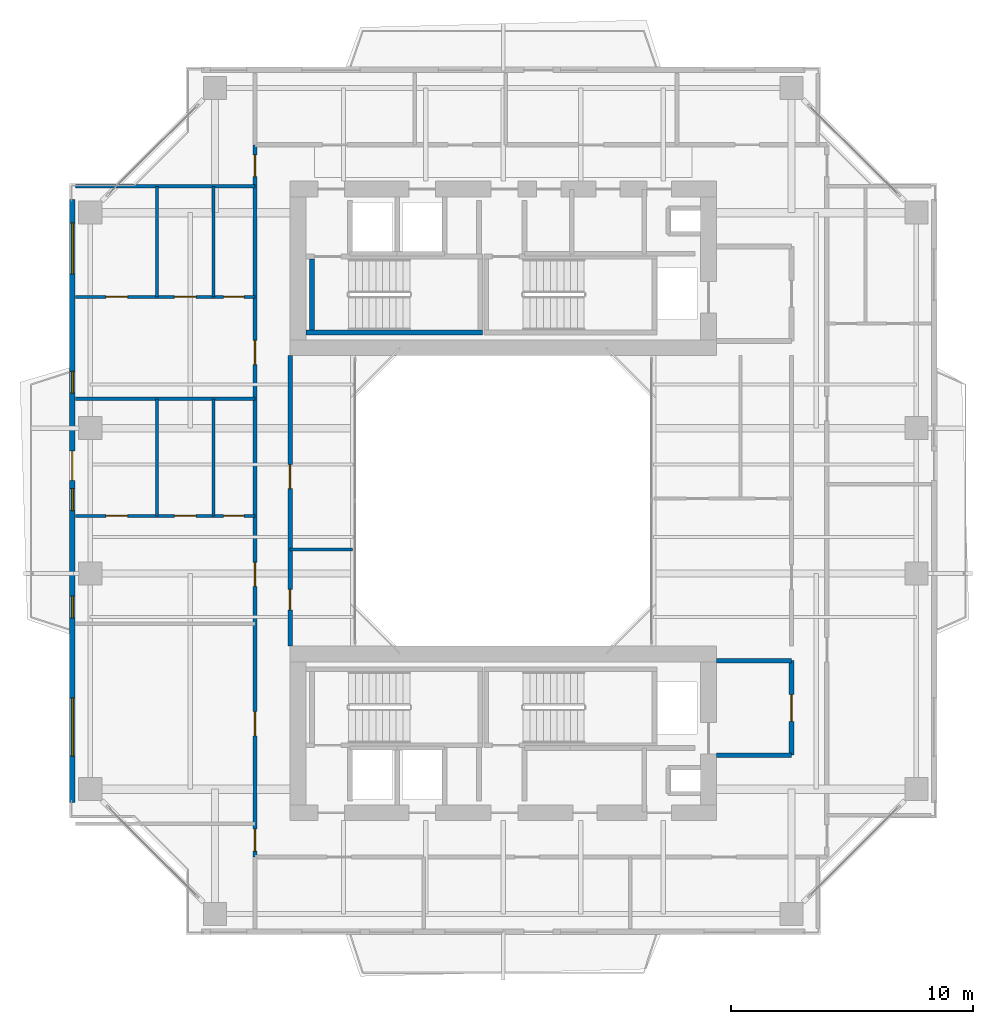
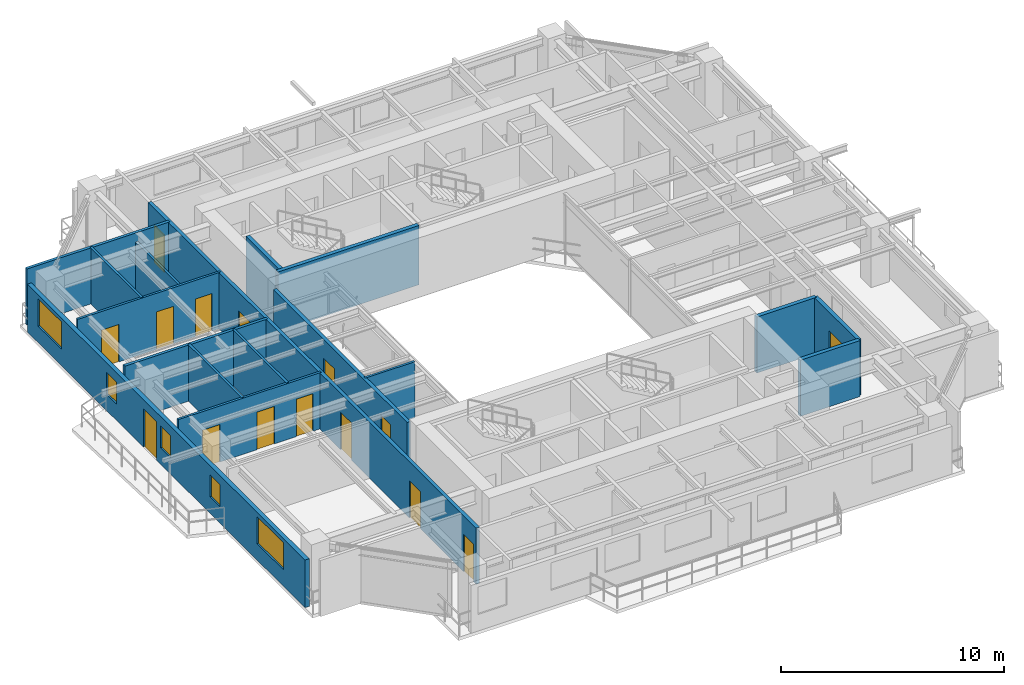
# One storey, part 12 of 18: 17 walls, 15 doors, 5 windows, 20 openings.
"""IFC4 building model written with IfcOpenShell, lengths in metres."""

from ifc_helpers import new_model, si_unit, direction, frame, frame_2d, origin, place, context, subcontext, project, spatial, rectangle, extrude, source, transform, mapped, material, layer, layer_set, type_object, element, fill, save


model = new_model("IFC4")

# Units and contexts
model_context = context("Model", 3, precision=1e-05, world=origin(), true_north=direction((0.0, 1.0)))
body_context = subcontext(model_context, "Body", "Model", "MODEL_VIEW")
ifc_project = project(units=[si_unit("LENGTHUNIT", "METRE"), si_unit("AREAUNIT", "SQUARE_METRE"), si_unit("VOLUMEUNIT", "CUBIC_METRE"), si_unit("PLANEANGLEUNIT", "RADIAN"), si_unit("MASSUNIT", "GRAM", prefix="KILO"), si_unit("THERMODYNAMICTEMPERATUREUNIT", "KELVIN"), si_unit("POWERUNIT", "WATT")], contexts=[model_context])

# Site, building, storey
site_placement = place(None, origin())
site = spatial("IfcSite", under=ifc_project, at=site_placement, CompositionType="ELEMENT")
building_placement = place(site_placement, origin())
building = spatial("IfcBuilding", under=site, at=building_placement, Name="Qiaomeng Ring Towers", CompositionType="ELEMENT")
storey_placement = place(building_placement, frame((0.0, 0.0, 147.0)))
storey = spatial("IfcBuildingStorey", under=building, at=storey_placement, Name="L42", CompositionType="ELEMENT", Elevation=147.0)

# Wall, openings, windows, door
ifc_material_1 = material(Name="Precast concrete C40", Category="concrete")
ifc_layer_1 = layer(ifc_material_1, 0.219970703125, Name="Precast concrete C40")
ifc_layer_set_1 = layer_set([ifc_layer_1], Name="Precast concrete C40")
wall_type_1 = type_object("IfcWallType", Name="ARC-WL-EW2", PredefinedType="STANDARD", material=ifc_layer_set_1)
wall_1_placement = place(storey_placement, frame((1.2099609375, 10.550048828125, 0.0), z_axis=(0.0, 0.0, 1.0), x_axis=(0.0, 1.0, 0.0)))
wall_1 = element("IfcWall", 1, at=wall_1_placement, inside=storey, type_object=wall_type_1, Name="L42 Tower 1 W Exterior Wall", PredefinedType="STANDARD", context=body_context, shape_type="SweptSolid", body=[
    extrude(rectangle(XDim=24.89990234375, YDim=0.219970703125, at=frame_2d((12.449951171875, 0.0))), origin(), (0.0, 0.0, 1.0), 2.610107421875),
])
opening_1_placement = place(wall_1_placement, frame((13.300048828125, 0.0, 0.0)))
opening_1 = element("IfcOpeningElement", 2, at=opening_1_placement, cuts=wall_1, Name="Opening BD1", PredefinedType="OPENING", context=body_context, shape_type="SweptSolid", body=[
    extrude(rectangle(XDim=1.199951171875, YDim=2.10009765625, at=frame_2d((0.60009765625, 1.050048828125))), frame((0.0, 0.119873046875, 0.0), z_axis=(0.0, -1.0, 0.0), x_axis=(1.0, 0.0, 0.0)), (0.0, 0.0, 1.0), 0.239990234375),
])
opening_2_placement = place(wall_1_placement, frame((1.912109375, 0.0, 0.89990234375)))
opening_2 = element("IfcOpeningElement", 3, at=opening_2_placement, cuts=wall_1, Name="Opening WN6", PredefinedType="OPENING", context=body_context, shape_type="SweptSolid", body=[
    extrude(rectangle(XDim=2.39990234375, YDim=1.47998046875, at=frame_2d((1.199951171875, 0.739990234375))), frame((0.0, 0.119873046875, 0.0), z_axis=(0.0, -1.0, 0.0), x_axis=(1.0, 0.0, 0.0)), (0.0, 0.0, 1.0), 0.239990234375),
])
opening_3_placement = place(wall_1_placement, frame((21.820068359375, 0.0, 0.89990234375)))
opening_3 = element("IfcOpeningElement", 4, at=opening_3_placement, cuts=wall_1, Name="Opening WN4", PredefinedType="OPENING", context=body_context, shape_type="SweptSolid", body=[
    extrude(rectangle(XDim=2.10009765625, YDim=1.5, at=frame_2d((1.050048828125, 0.75))), frame((0.0, 0.119873046875, 0.0), z_axis=(0.0, -1.0, 0.0), x_axis=(1.0, 0.0, 0.0)), (0.0, 0.0, 1.0), 0.239990234375),
])
opening_4_placement = place(wall_1_placement, frame((12.050048828125, 0.0, 0.89990234375)))
opening_4 = element("IfcOpeningElement", 5, at=opening_4_placement, cuts=wall_1, Name="Opening WN5", PredefinedType="OPENING", context=body_context, shape_type="SweptSolid", body=[
    extrude(rectangle(XDim=0.89990234375, YDim=1.199951171875, at=frame_2d((0.449951171875, 0.60009765625))), frame((0.0, 0.119873046875, 0.0), z_axis=(0.0, -1.0, 0.0), x_axis=(1.0, 0.0, 0.0)), (0.0, 0.0, 1.0), 0.239990234375),
])
opening_5_placement = place(wall_1_placement, frame((7.614990234375, 0.0, 0.89990234375)))
opening_5 = element("IfcOpeningElement", 6, at=opening_5_placement, cuts=wall_1, Name="Opening WN5", PredefinedType="OPENING", context=body_context, shape_type="SweptSolid", body=[
    extrude(rectangle(XDim=0.89990234375, YDim=1.199951171875, at=frame_2d((0.449951171875, 0.60009765625))), frame((0.0, 0.119873046875, 0.0), z_axis=(0.0, -1.0, 0.0), x_axis=(1.0, 0.0, 0.0)), (0.0, 0.0, 1.0), 0.239990234375),
])
opening_6_placement = place(wall_1_placement, frame((16.89501953125, 0.0, 0.89990234375)))
opening_6 = element("IfcOpeningElement", 7, at=opening_6_placement, cuts=wall_1, Name="Opening WN5", PredefinedType="OPENING", context=body_context, shape_type="SweptSolid", body=[
    extrude(rectangle(XDim=0.89990234375, YDim=1.199951171875, at=frame_2d((0.449951171875, 0.60009765625))), frame((0.0, 0.119873046875, 0.0), z_axis=(0.0, -1.0, 0.0), x_axis=(1.0, 0.0, 0.0)), (0.0, 0.0, 1.0), 0.239990234375),
])
ifc_material_2 = material(Name="Low-E dark-grey laminated double glazing", Category="glass")
window_type_1 = type_object("IfcWindowType", Name="ARC-WN-4", PartitioningType="TRIPLE_PANEL_VERTICAL", PredefinedType="WINDOW", material=ifc_material_2)
shared_shape_1 = source(origin(), body_context, "Body", "SweptSolid", [
    extrude(rectangle(XDim=2.10009765625, YDim=1.5, at=frame_2d((1.050048828125, 0.75))), frame((0.0, 0.030029296875, 0.0), z_axis=(0.0, -1.0, 0.0), x_axis=(1.0, 0.0, 0.0)), (0.0, 0.0, 1.0), 0.06005859375),
])
window_1_placement = place(opening_3_placement, origin())
window_1 = element("IfcWindow", 8, at=window_1_placement, inside=storey, type_object=window_type_1, Name="L42 Exterior Window WN4", OverallHeight=1.5, OverallWidth=2.10009765625, PartitioningType="TRIPLE_PANEL_VERTICAL", PredefinedType="WINDOW", context=body_context, shape_type="MappedRepresentation", body=[
    mapped(shared_shape_1, transform((0.0, 0.0, 0.0), x_axis=(1.0, 0.0, 0.0), y_axis=(0.0, 1.0, 0.0), z_axis=(0.0, 0.0, 1.0), scale=1.0)),
])
fill(opening_3, window_1)
window_type_2 = type_object("IfcWindowType", Name="ARC-WN-6", PartitioningType="TRIPLE_PANEL_VERTICAL", PredefinedType="WINDOW", material=ifc_material_2)
shared_shape_2 = source(origin(), body_context, "Body", "SweptSolid", [
    extrude(rectangle(XDim=2.39990234375, YDim=1.47998046875, at=frame_2d((1.199951171875, 0.739990234375))), frame((0.0, 0.030029296875, 0.0), z_axis=(0.0, -1.0, 0.0), x_axis=(1.0, 0.0, 0.0)), (0.0, 0.0, 1.0), 0.06005859375),
])
window_2_placement = place(opening_2_placement, origin())
window_2 = element("IfcWindow", 9, at=window_2_placement, inside=storey, type_object=window_type_2, Name="L42 Exterior Window WN6", OverallHeight=1.47998046875, OverallWidth=2.39990234375, PartitioningType="TRIPLE_PANEL_VERTICAL", PredefinedType="WINDOW", context=body_context, shape_type="MappedRepresentation", body=[
    mapped(shared_shape_2, transform((0.0, 0.0, 0.0), x_axis=(1.0, 0.0, 0.0), y_axis=(0.0, 1.0, 0.0), z_axis=(0.0, 0.0, 1.0), scale=1.0)),
])
fill(opening_2, window_2)
door_type_1 = type_object("IfcDoorType", Name="ARC-DR-BD1", OperationType="NOTDEFINED", PredefinedType="DOOR", material=ifc_material_2)
shared_shape_3 = source(origin(), body_context, "Body", "SweptSolid", [
    extrude(rectangle(XDim=1.199951171875, YDim=2.10009765625, at=frame_2d((0.60009765625, 1.050048828125))), frame((0.0, 0.02490234375, 0.0), z_axis=(0.0, -1.0, 0.0), x_axis=(1.0, 0.0, 0.0)), (0.0, 0.0, 1.0), 0.050048828125),
])
door_1_placement = place(opening_1_placement, frame((1.199951171875, 0.0, 0.0), z_axis=(0.0, 0.0, 1.0), x_axis=(-1.0, 0.0, 0.0)))
door_1 = element("IfcDoor", 10, at=door_1_placement, inside=storey, type_object=door_type_1, Name="L42 W Balcony Glazed Door", OperationType="SINGLE_SWING_LEFT", OverallHeight=2.10009765625, OverallWidth=1.199951171875, PredefinedType="DOOR", context=body_context, shape_type="MappedRepresentation", body=[
    mapped(shared_shape_3, transform((0.0, 0.0, 0.0), x_axis=(1.0, 0.0, 0.0), y_axis=(0.0, 1.0, 0.0), z_axis=(0.0, 0.0, 1.0), scale=1.0)),
])
fill(opening_1, door_1)
window_type_3 = type_object("IfcWindowType", Name="ARC-WN-5", PartitioningType="SINGLE_PANEL", PredefinedType="WINDOW", material=ifc_material_2)
shared_shape_4 = source(origin(), body_context, "Body", "SweptSolid", [
    extrude(rectangle(XDim=0.89990234375, YDim=1.199951171875, at=frame_2d((0.449951171875, 0.60009765625))), frame((0.0, 0.030029296875, 0.0), z_axis=(0.0, -1.0, 0.0), x_axis=(1.0, 0.0, 0.0)), (0.0, 0.0, 1.0), 0.06005859375),
])
window_3_placement = place(opening_4_placement, origin())
window_3 = element("IfcWindow", 11, at=window_3_placement, inside=storey, type_object=window_type_3, Name="L42 Exterior Window WN5", OverallHeight=1.199951171875, OverallWidth=0.89990234375, PartitioningType="SINGLE_PANEL", PredefinedType="WINDOW", context=body_context, shape_type="MappedRepresentation", body=[
    mapped(shared_shape_4, transform((0.0, 0.0, 0.0), x_axis=(1.0, 0.0, 0.0), y_axis=(0.0, 1.0, 0.0), z_axis=(0.0, 0.0, 1.0), scale=1.0)),
])
fill(opening_4, window_3)
window_4_placement = place(opening_5_placement, origin())
window_4 = element("IfcWindow", 12, at=window_4_placement, inside=storey, type_object=window_type_3, Name="L42 Exterior Window WN5", OverallHeight=1.199951171875, OverallWidth=0.89990234375, PartitioningType="SINGLE_PANEL", PredefinedType="WINDOW", context=body_context, shape_type="MappedRepresentation", body=[
    mapped(shared_shape_4, transform((0.0, 0.0, 0.0), x_axis=(1.0, 0.0, 0.0), y_axis=(0.0, 1.0, 0.0), z_axis=(0.0, 0.0, 1.0), scale=1.0)),
])
fill(opening_5, window_4)
window_5_placement = place(opening_6_placement, origin())
window_5 = element("IfcWindow", 13, at=window_5_placement, inside=storey, type_object=window_type_3, Name="L42 Exterior Window WN5", OverallHeight=1.199951171875, OverallWidth=0.89990234375, PartitioningType="SINGLE_PANEL", PredefinedType="WINDOW", context=body_context, shape_type="MappedRepresentation", body=[
    mapped(shared_shape_4, transform((0.0, 0.0, 0.0), x_axis=(1.0, 0.0, 0.0), y_axis=(0.0, 1.0, 0.0), z_axis=(0.0, 0.0, 1.0), scale=1.0)),
])
fill(opening_6, window_5)

# Walls
ifc_material_3 = material(Name="Autoclaved aerated concrete block", Category="concrete")
ifc_layer_2 = layer(ifc_material_3, 0.199951171875, Name="Autoclaved aerated concrete block")
ifc_layer_set_2 = layer_set([ifc_layer_2], Name="Autoclaved aerated concrete block")
wall_type_2 = type_object("IfcWallType", Name="ARC-WL-PW1", PredefinedType="PARTITIONING", material=ifc_layer_set_2)
for number, where, z_axis, x_axis, name in (
    (14, (27.800048828125, 16.39990234375, 0.0), (0.0, 0.0, 1.0), (1.0, 0.0, 0.0), "L42 Interior Wall PW1"),
    (15, (27.800048828125, 12.5, 0.0), (0.0, 0.0, 1.0), (1.0, 0.0, 0.0), "L42 Interior Wall PW1"),
):
    element("IfcWall", number, at=place(storey_placement, frame(where, z_axis=z_axis, x_axis=x_axis)), inside=storey, type_object=wall_type_2, Name=name, PredefinedType="PARTITIONING", context=body_context, shape_type="SweptSolid", body=[
        extrude(rectangle(XDim=3.099853515625, YDim=0.199951171875, at=frame_2d((1.5498046875, 0.0))), origin(), (0.0, 0.0, 1.0), 3.070068359375),
    ])

# Wall, opening, door
wall_2_placement = place(storey_placement, frame((30.89990234375, 12.5, 0.0), z_axis=(0.0, 0.0, 1.0), x_axis=(0.0, 1.0, 0.0)))
wall_2 = element("IfcWall", 16, at=wall_2_placement, inside=storey, type_object=wall_type_2, Name="L42 Interior Wall PW1", PredefinedType="PARTITIONING", context=body_context, shape_type="SweptSolid", body=[
    extrude(rectangle(XDim=3.89990234375, YDim=0.199951171875, at=frame_2d((1.949951171875, 0.0))), origin(), (0.0, 0.0, 1.0), 3.070068359375),
])
opening_7_placement = place(wall_2_placement, frame((1.39990234375, 0.0, 0.0)))
opening_7 = element("IfcOpeningElement", 17, at=opening_7_placement, cuts=wall_2, Name="Opening FD3", PredefinedType="OPENING", context=body_context, shape_type="SweptSolid", body=[
    extrude(rectangle(XDim=1.10009765625, YDim=2.050048828125, at=frame_2d((0.550048828125, 1.02490234375))), frame((0.0, 0.10986328125, 0.0), z_axis=(0.0, -1.0, 0.0), x_axis=(1.0, 0.0, 0.0)), (0.0, 0.0, 1.0), 0.219970703125),
])
ifc_material_4 = material(Name="Galvanised steel", Category="steel")
door_type_2 = type_object("IfcDoorType", Name="ARC-DR-FD3", OperationType="NOTDEFINED", PredefinedType="DOOR", material=ifc_material_4)
shared_shape_5 = source(origin(), body_context, "Body", "SweptSolid", [
    extrude(rectangle(XDim=1.10009765625, YDim=2.050048828125, at=frame_2d((0.550048828125, 1.02490234375))), frame((0.0, 0.02490234375, 0.0), z_axis=(0.0, -1.0, 0.0), x_axis=(1.0, 0.0, 0.0)), (0.0, 0.0, 1.0), 0.050048828125),
])
door_2_placement = place(opening_7_placement, origin())
door_2 = element("IfcDoor", 18, at=door_2_placement, inside=storey, type_object=door_type_2, Name="L42 South FF Lobby Door", OperationType="SINGLE_SWING_LEFT", OverallHeight=2.050048828125, OverallWidth=1.10009765625, PredefinedType="DOOR", context=body_context, shape_type="MappedRepresentation", body=[
    mapped(shared_shape_5, transform((0.0, 0.0, 0.0), x_axis=(1.0, 0.0, 0.0), y_axis=(0.0, 1.0, 0.0), z_axis=(0.0, 0.0, 1.0), scale=1.0)),
])
fill(opening_7, door_2)

# Wall, openings, doors
ifc_layer_3 = layer(ifc_material_3, 0.179931640625, Name="Autoclaved aerated concrete block")
ifc_layer_set_3 = layer_set([ifc_layer_3], Name="Autoclaved aerated concrete block")
wall_type_3 = type_object("IfcWallType", Name="ARC-WL-PW2", PredefinedType="PARTITIONING", material=ifc_layer_set_3)
wall_3_placement = place(storey_placement, frame((8.75, 8.300048828125, 0.0), z_axis=(0.0, 0.0, 1.0), x_axis=(0.0, 1.0, 0.0)))
wall_3 = element("IfcWall", 19, at=wall_3_placement, inside=storey, type_object=wall_type_3, Name="L42 Interior Wall PW2", PredefinedType="PARTITIONING", context=body_context, shape_type="SweptSolid", body=[
    extrude(rectangle(XDim=29.39990234375, YDim=0.179931640625, at=frame_2d((14.699951171875, 0.0))), origin(), (0.0, 0.0, 1.0), 3.070068359375),
])
opening_8_placement = place(wall_3_placement, frame((28.080078125, 0.0, 0.0)))
opening_8 = element("IfcOpeningElement", 20, at=opening_8_placement, cuts=wall_3, Name="Opening ID1", PredefinedType="OPENING", context=body_context, shape_type="SweptSolid", body=[
    extrude(rectangle(XDim=0.89990234375, YDim=2.050048828125, at=frame_2d((0.449951171875, 1.02490234375))), frame((0.0, 0.099853515625, 0.0), z_axis=(0.0, -1.0, 0.0), x_axis=(1.0, 0.0, 0.0)), (0.0, 0.0, 1.0), 0.199951171875),
])
opening_9_placement = place(wall_3_placement, frame((0.2451171875, 0.0, 0.0)))
opening_9 = element("IfcOpeningElement", 21, at=opening_9_placement, cuts=wall_3, Name="Opening ID1", PredefinedType="OPENING", context=body_context, shape_type="SweptSolid", body=[
    extrude(rectangle(XDim=0.89990234375, YDim=2.050048828125, at=frame_2d((0.449951171875, 1.02490234375))), frame((0.0, 0.099853515625, 0.0), z_axis=(0.0, -1.0, 0.0), x_axis=(1.0, 0.0, 0.0)), (0.0, 0.0, 1.0), 0.199951171875),
])
opening_10_placement = place(wall_3_placement, frame((5.0, 0.0, 0.0)))
opening_10 = element("IfcOpeningElement", 22, at=opening_10_placement, cuts=wall_3, Name="Opening FD4", PredefinedType="OPENING", context=body_context, shape_type="SweptSolid", body=[
    extrude(rectangle(XDim=1.0, YDim=2.050048828125, at=frame_2d((0.5, 1.02490234375))), frame((0.0, 0.099853515625, 0.0), z_axis=(0.0, -1.0, 0.0), x_axis=(1.0, 0.0, 0.0)), (0.0, 0.0, 1.0), 0.199951171875),
])
opening_11_placement = place(wall_3_placement, frame((11.1650390625, 0.0, 0.0)))
opening_11 = element("IfcOpeningElement", 23, at=opening_11_placement, cuts=wall_3, Name="Opening FD4", PredefinedType="OPENING", context=body_context, shape_type="SweptSolid", body=[
    extrude(rectangle(XDim=1.0, YDim=2.050048828125, at=frame_2d((0.5, 1.02490234375))), frame((0.0, 0.099853515625, 0.0), z_axis=(0.0, -1.0, 0.0), x_axis=(1.0, 0.0, 0.0)), (0.0, 0.0, 1.0), 0.199951171875),
])
opening_12_placement = place(wall_3_placement, frame((20.324951171875, 0.0, 0.0)))
opening_12 = element("IfcOpeningElement", 24, at=opening_12_placement, cuts=wall_3, Name="Opening FD4", PredefinedType="OPENING", context=body_context, shape_type="SweptSolid", body=[
    extrude(rectangle(XDim=1.0, YDim=2.050048828125, at=frame_2d((0.5, 1.02490234375))), frame((0.0, 0.099853515625, 0.0), z_axis=(0.0, -1.0, 0.0), x_axis=(1.0, 0.0, 0.0)), (0.0, 0.0, 1.0), 0.199951171875),
])
ifc_material_5 = material(Name="Engineered fire-rated oak timber", Category="wood")
door_type_3 = type_object("IfcDoorType", Name="ARC-DR-FD4", OperationType="NOTDEFINED", PredefinedType="DOOR", material=ifc_material_5)
shared_shape_6 = source(origin(), body_context, "Body", "SweptSolid", [
    extrude(rectangle(XDim=1.0, YDim=2.050048828125, at=frame_2d((0.5, 1.02490234375))), frame((0.0, 0.02490234375, 0.0), z_axis=(0.0, -1.0, 0.0), x_axis=(1.0, 0.0, 0.0)), (0.0, 0.0, 1.0), 0.050048828125),
])
door_3_placement = place(opening_10_placement, origin())
door_3 = element("IfcDoor", 25, at=door_3_placement, inside=storey, type_object=door_type_3, Name="L42 Door FD4", OperationType="SINGLE_SWING_RIGHT", OverallHeight=2.050048828125, OverallWidth=1.0, PredefinedType="DOOR", context=body_context, shape_type="MappedRepresentation", body=[
    mapped(shared_shape_6, transform((0.0, 0.0, 0.0), x_axis=(1.0, 0.0, 0.0), y_axis=(0.0, 1.0, 0.0), z_axis=(0.0, 0.0, 1.0), scale=1.0)),
])
fill(opening_10, door_3)
door_4_placement = place(opening_11_placement, origin())
door_4 = element("IfcDoor", 26, at=door_4_placement, inside=storey, type_object=door_type_3, Name="L42 Door FD4", OperationType="SINGLE_SWING_RIGHT", OverallHeight=2.050048828125, OverallWidth=1.0, PredefinedType="DOOR", context=body_context, shape_type="MappedRepresentation", body=[
    mapped(shared_shape_6, transform((0.0, 0.0, 0.0), x_axis=(1.0, 0.0, 0.0), y_axis=(0.0, 1.0, 0.0), z_axis=(0.0, 0.0, 1.0), scale=1.0)),
])
fill(opening_11, door_4)
door_5_placement = place(opening_12_placement, origin())
door_5 = element("IfcDoor", 27, at=door_5_placement, inside=storey, type_object=door_type_3, Name="L42 Door FD4", OperationType="SINGLE_SWING_RIGHT", OverallHeight=2.050048828125, OverallWidth=1.0, PredefinedType="DOOR", context=body_context, shape_type="MappedRepresentation", body=[
    mapped(shared_shape_6, transform((0.0, 0.0, 0.0), x_axis=(1.0, 0.0, 0.0), y_axis=(0.0, 1.0, 0.0), z_axis=(0.0, 0.0, 1.0), scale=1.0)),
])
fill(opening_12, door_5)
ifc_material_6 = material(Name="Engineered oak timber", Category="wood")
door_type_4 = type_object("IfcDoorType", Name="ARC-DR-ID1", OperationType="NOTDEFINED", PredefinedType="DOOR", material=ifc_material_6)
shared_shape_7 = source(origin(), body_context, "Body", "SweptSolid", [
    extrude(rectangle(XDim=0.89990234375, YDim=2.050048828125, at=frame_2d((0.449951171875, 1.02490234375))), frame((0.0, 0.02490234375, 0.0), z_axis=(0.0, -1.0, 0.0), x_axis=(1.0, 0.0, 0.0)), (0.0, 0.0, 1.0), 0.050048828125),
])
door_6_placement = place(opening_8_placement, origin())
door_6 = element("IfcDoor", 28, at=door_6_placement, inside=storey, type_object=door_type_4, Name="L42 Door ID1", OperationType="SINGLE_SWING_RIGHT", OverallHeight=2.050048828125, OverallWidth=0.89990234375, PredefinedType="DOOR", context=body_context, shape_type="MappedRepresentation", body=[
    mapped(shared_shape_7, transform((0.0, 0.0, 0.0), x_axis=(1.0, 0.0, 0.0), y_axis=(0.0, 1.0, 0.0), z_axis=(0.0, 0.0, 1.0), scale=1.0)),
])
fill(opening_8, door_6)
door_7_placement = place(opening_9_placement, origin())
door_7 = element("IfcDoor", 29, at=door_7_placement, inside=storey, type_object=door_type_4, Name="L42 Door ID1", OperationType="SINGLE_SWING_LEFT", OverallHeight=2.050048828125, OverallWidth=0.89990234375, PredefinedType="DOOR", context=body_context, shape_type="MappedRepresentation", body=[
    mapped(shared_shape_7, transform((0.0, 0.0, 0.0), x_axis=(1.0, 0.0, 0.0), y_axis=(0.0, 1.0, 0.0), z_axis=(0.0, 0.0, 1.0), scale=1.0)),
])
fill(opening_9, door_7)

wall_4_placement = place(storey_placement, frame((10.199951171875, 17.0, 0.0), z_axis=(0.0, 0.0, 1.0), x_axis=(0.0, 1.0, 0.0)))
wall_4 = element("IfcWall", 30, at=wall_4_placement, inside=storey, type_object=wall_type_3, Name="L42 Interior Wall PW2", PredefinedType="PARTITIONING", context=body_context, shape_type="SweptSolid", body=[
    extrude(rectangle(XDim=12.0, YDim=0.179931640625, at=frame_2d((6.0, 0.0))), origin(), (0.0, 0.0, 1.0), 3.070068359375),
])
opening_13_placement = place(wall_4_placement, frame((1.5, 0.0, 0.0)))
opening_13 = element("IfcOpeningElement", 31, at=opening_13_placement, cuts=wall_4, Name="Opening ID2", PredefinedType="OPENING", context=body_context, shape_type="SweptSolid", body=[
    extrude(rectangle(XDim=0.85009765625, YDim=2.050048828125, at=frame_2d((0.425048828125, 1.02490234375))), frame((0.0, 0.099853515625, 0.0), z_axis=(0.0, -1.0, 0.0), x_axis=(1.0, 0.0, 0.0)), (0.0, 0.0, 1.0), 0.199951171875),
])
opening_14_placement = place(wall_4_placement, frame((6.5, 0.0, 0.0)))
opening_14 = element("IfcOpeningElement", 32, at=opening_14_placement, cuts=wall_4, Name="Opening FD4", PredefinedType="OPENING", context=body_context, shape_type="SweptSolid", body=[
    extrude(rectangle(XDim=1.0, YDim=2.050048828125, at=frame_2d((0.5, 1.02490234375))), frame((0.0, 0.099853515625, 0.0), z_axis=(0.0, -1.0, 0.0), x_axis=(1.0, 0.0, 0.0)), (0.0, 0.0, 1.0), 0.199951171875),
])
door_8_placement = place(opening_14_placement, origin())
door_8 = element("IfcDoor", 33, at=door_8_placement, inside=storey, type_object=door_type_3, Name="L42 Door FD4", OperationType="SINGLE_SWING_RIGHT", OverallHeight=2.050048828125, OverallWidth=1.0, PredefinedType="DOOR", context=body_context, shape_type="MappedRepresentation", body=[
    mapped(shared_shape_6, transform((0.0, 0.0, 0.0), x_axis=(1.0, 0.0, 0.0), y_axis=(0.0, 1.0, 0.0), z_axis=(0.0, 0.0, 1.0), scale=1.0)),
])
fill(opening_14, door_8)
ifc_material_7 = material(Name="Moisture-resistant engineered timber", Category="wood")
door_type_5 = type_object("IfcDoorType", Name="ARC-DR-ID2", OperationType="NOTDEFINED", PredefinedType="DOOR", material=ifc_material_7)
shared_shape_8 = source(origin(), body_context, "Body", "SweptSolid", [
    extrude(rectangle(XDim=0.85009765625, YDim=2.050048828125, at=frame_2d((0.425048828125, 1.02490234375))), frame((0.0, 0.02490234375, 0.0), z_axis=(0.0, -1.0, 0.0), x_axis=(1.0, 0.0, 0.0)), (0.0, 0.0, 1.0), 0.050048828125),
])
door_9_placement = place(opening_13_placement, origin())
door_9 = element("IfcDoor", 34, at=door_9_placement, inside=storey, type_object=door_type_5, Name="L42 Door ID2", OperationType="SINGLE_SWING_LEFT", OverallHeight=2.050048828125, OverallWidth=0.85009765625, PredefinedType="DOOR", context=body_context, shape_type="MappedRepresentation", body=[
    mapped(shared_shape_8, transform((0.0, 0.0, 0.0), x_axis=(1.0, 0.0, 0.0), y_axis=(0.0, 1.0, 0.0), z_axis=(0.0, 0.0, 1.0), scale=1.0)),
])
fill(opening_13, door_9)

# Walls
ifc_material_8 = material(Name="Gypsum fireboard steel-stud partition", Category="steel")
ifc_layer_4 = layer(ifc_material_8, 0.14990234375, Name="Gypsum fireboard steel-stud partition")
ifc_layer_set_4 = layer_set([ifc_layer_4], Name="Gypsum fireboard steel-stud partition")
wall_type_4 = type_object("IfcWallType", Name="ARC-WL-PW3", PredefinedType="PARTITIONING", material=ifc_layer_set_4)
for number, where, z_axis, x_axis, name in (
    (35, (1.35009765625, 35.97998046875, 0.0), (0.0, 0.0, 1.0), (1.0, 0.0, 0.0), "L42 Interior Wall PW3"),
    (36, (1.35009765625, 27.2099609375, 0.0), (0.0, 0.0, 1.0), (1.0, 0.0, 0.0), "L42 Interior Wall PW3"),
):
    element("IfcWall", number, at=place(storey_placement, frame(where, z_axis=z_axis, x_axis=x_axis)), inside=storey, type_object=wall_type_4, Name=name, PredefinedType="PARTITIONING", context=body_context, shape_type="SweptSolid", body=[
        extrude(rectangle(XDim=7.39990234375, YDim=0.14990234375, at=frame_2d((3.699951171875, 0.0))), origin(), (0.0, 0.0, 1.0), 3.070068359375),
    ])

# Wall, openings, doors
ifc_material_9 = material(Name="Moisture-resistant gypsum steel-stud partition", Category="steel")
ifc_layer_5 = layer(ifc_material_9, 0.1201171875, Name="Moisture-resistant gypsum steel-stud partition")
ifc_layer_set_5 = layer_set([ifc_layer_5], Name="Moisture-resistant gypsum steel-stud partition")
wall_type_5 = type_object("IfcWallType", Name="ARC-WL-PW4", PredefinedType="PLUMBINGWALL", material=ifc_layer_set_5)
wall_5_placement = place(storey_placement, frame((1.35009765625, 22.3798828125, 0.0), z_axis=(0.0, 0.0, 1.0), x_axis=(1.0, 0.0, 0.0)))
wall_5 = element("IfcWall", 37, at=wall_5_placement, inside=storey, type_object=wall_type_5, Name="L42 Interior Wall PW4", PredefinedType="PLUMBINGWALL", context=body_context, shape_type="SweptSolid", body=[
    extrude(rectangle(XDim=7.39990234375, YDim=0.1201171875, at=frame_2d((3.699951171875, 0.0))), origin(), (0.0, 0.0, 1.0), 3.070068359375),
])
opening_15_placement = place(wall_5_placement, frame((1.239990234375, 0.0, 0.0)))
opening_15 = element("IfcOpeningElement", 38, at=opening_15_placement, cuts=wall_5, Name="Opening ID1", PredefinedType="OPENING", context=body_context, shape_type="SweptSolid", body=[
    extrude(rectangle(XDim=0.89990234375, YDim=2.050048828125, at=frame_2d((0.449951171875, 1.02490234375))), frame((0.0, 0.070068359375, 0.0), z_axis=(0.0, -1.0, 0.0), x_axis=(1.0, 0.0, 0.0)), (0.0, 0.0, 1.0), 0.14013671875),
])
opening_16_placement = place(wall_5_placement, frame((4.070068359375, 0.0, 0.0)))
opening_16 = element("IfcOpeningElement", 39, at=opening_16_placement, cuts=wall_5, Name="Opening ID1", PredefinedType="OPENING", context=body_context, shape_type="SweptSolid", body=[
    extrude(rectangle(XDim=0.89990234375, YDim=2.050048828125, at=frame_2d((0.449951171875, 1.02490234375))), frame((0.0, 0.070068359375, 0.0), z_axis=(0.0, -1.0, 0.0), x_axis=(1.0, 0.0, 0.0)), (0.0, 0.0, 1.0), 0.14013671875),
])
opening_17_placement = place(wall_5_placement, frame((6.10498046875, 0.0, 0.0)))
opening_17 = element("IfcOpeningElement", 40, at=opening_17_placement, cuts=wall_5, Name="Opening ID2", PredefinedType="OPENING", context=body_context, shape_type="SweptSolid", body=[
    extrude(rectangle(XDim=0.85009765625, YDim=2.050048828125, at=frame_2d((0.425048828125, 1.02490234375))), frame((0.0, 0.070068359375, 0.0), z_axis=(0.0, -1.0, 0.0), x_axis=(1.0, 0.0, 0.0)), (0.0, 0.0, 1.0), 0.14013671875),
])
door_10_placement = place(opening_17_placement, origin())
door_10 = element("IfcDoor", 41, at=door_10_placement, inside=storey, type_object=door_type_5, Name="L42 Door ID2", OperationType="SINGLE_SWING_LEFT", OverallHeight=2.050048828125, OverallWidth=0.85009765625, PredefinedType="DOOR", context=body_context, shape_type="MappedRepresentation", body=[
    mapped(shared_shape_8, transform((0.0, 0.0, 0.0), x_axis=(1.0, 0.0, 0.0), y_axis=(0.0, 1.0, 0.0), z_axis=(0.0, 0.0, 1.0), scale=1.0)),
])
fill(opening_17, door_10)
door_11_placement = place(opening_15_placement, origin())
door_11 = element("IfcDoor", 42, at=door_11_placement, inside=storey, type_object=door_type_4, Name="L42 Door ID1", OperationType="SINGLE_SWING_LEFT", OverallHeight=2.050048828125, OverallWidth=0.89990234375, PredefinedType="DOOR", context=body_context, shape_type="MappedRepresentation", body=[
    mapped(shared_shape_7, transform((0.0, 0.0, 0.0), x_axis=(1.0, 0.0, 0.0), y_axis=(0.0, 1.0, 0.0), z_axis=(0.0, 0.0, 1.0), scale=1.0)),
])
fill(opening_15, door_11)
door_12_placement = place(opening_16_placement, origin())
door_12 = element("IfcDoor", 43, at=door_12_placement, inside=storey, type_object=door_type_4, Name="L42 Door ID1", OperationType="SINGLE_SWING_RIGHT", OverallHeight=2.050048828125, OverallWidth=0.89990234375, PredefinedType="DOOR", context=body_context, shape_type="MappedRepresentation", body=[
    mapped(shared_shape_7, transform((0.0, 0.0, 0.0), x_axis=(1.0, 0.0, 0.0), y_axis=(0.0, 1.0, 0.0), z_axis=(0.0, 0.0, 1.0), scale=1.0)),
])
fill(opening_16, door_12)

# Walls
for number, where, z_axis, x_axis, name in (
    (44, (4.7099609375, 22.3798828125, 0.0), (0.0, 0.0, 1.0), (0.0, 1.0, 0.0), "L42 Interior Wall PW4"),
    (45, (7.030029296875, 22.3798828125, 0.0), (0.0, 0.0, 1.0), (0.0, 1.0, 0.0), "L42 Interior Wall PW4"),
):
    element("IfcWall", number, at=place(storey_placement, frame(where, z_axis=z_axis, x_axis=x_axis)), inside=storey, type_object=wall_type_5, Name=name, PredefinedType="PLUMBINGWALL", context=body_context, shape_type="SweptSolid", body=[
        extrude(rectangle(XDim=4.830078125, YDim=0.1201171875, at=frame_2d((2.4150390625, 0.0))), origin(), (0.0, 0.0, 1.0), 3.070068359375),
    ])

# Wall, openings, doors
wall_6_placement = place(storey_placement, frame((1.35009765625, 31.419921875, 0.0), z_axis=(0.0, 0.0, 1.0), x_axis=(1.0, 0.0, 0.0)))
wall_6 = element("IfcWall", 46, at=wall_6_placement, inside=storey, type_object=wall_type_5, Name="L42 Interior Wall PW4", PredefinedType="PLUMBINGWALL", context=body_context, shape_type="SweptSolid", body=[
    extrude(rectangle(XDim=7.39990234375, YDim=0.1201171875, at=frame_2d((3.699951171875, 0.0))), origin(), (0.0, 0.0, 1.0), 3.070068359375),
])
opening_18_placement = place(wall_6_placement, frame((1.239990234375, 0.0, 0.0)))
opening_18 = element("IfcOpeningElement", 47, at=opening_18_placement, cuts=wall_6, Name="Opening ID1", PredefinedType="OPENING", context=body_context, shape_type="SweptSolid", body=[
    extrude(rectangle(XDim=0.89990234375, YDim=2.050048828125, at=frame_2d((0.449951171875, 1.02490234375))), frame((0.0, 0.070068359375, 0.0), z_axis=(0.0, -1.0, 0.0), x_axis=(1.0, 0.0, 0.0)), (0.0, 0.0, 1.0), 0.14013671875),
])
opening_19_placement = place(wall_6_placement, frame((4.070068359375, 0.0, 0.0)))
opening_19 = element("IfcOpeningElement", 48, at=opening_19_placement, cuts=wall_6, Name="Opening ID1", PredefinedType="OPENING", context=body_context, shape_type="SweptSolid", body=[
    extrude(rectangle(XDim=0.89990234375, YDim=2.050048828125, at=frame_2d((0.449951171875, 1.02490234375))), frame((0.0, 0.070068359375, 0.0), z_axis=(0.0, -1.0, 0.0), x_axis=(1.0, 0.0, 0.0)), (0.0, 0.0, 1.0), 0.14013671875),
])
opening_20_placement = place(wall_6_placement, frame((6.10498046875, 0.0, 0.0)))
opening_20 = element("IfcOpeningElement", 49, at=opening_20_placement, cuts=wall_6, Name="Opening ID2", PredefinedType="OPENING", context=body_context, shape_type="SweptSolid", body=[
    extrude(rectangle(XDim=0.85009765625, YDim=2.050048828125, at=frame_2d((0.425048828125, 1.02490234375))), frame((0.0, 0.070068359375, 0.0), z_axis=(0.0, -1.0, 0.0), x_axis=(1.0, 0.0, 0.0)), (0.0, 0.0, 1.0), 0.14013671875),
])
door_13_placement = place(opening_20_placement, origin())
door_13 = element("IfcDoor", 50, at=door_13_placement, inside=storey, type_object=door_type_5, Name="L42 Door ID2", OperationType="SINGLE_SWING_LEFT", OverallHeight=2.050048828125, OverallWidth=0.85009765625, PredefinedType="DOOR", context=body_context, shape_type="MappedRepresentation", body=[
    mapped(shared_shape_8, transform((0.0, 0.0, 0.0), x_axis=(1.0, 0.0, 0.0), y_axis=(0.0, 1.0, 0.0), z_axis=(0.0, 0.0, 1.0), scale=1.0)),
])
fill(opening_20, door_13)
door_14_placement = place(opening_18_placement, origin())
door_14 = element("IfcDoor", 51, at=door_14_placement, inside=storey, type_object=door_type_4, Name="L42 Door ID1", OperationType="SINGLE_SWING_LEFT", OverallHeight=2.050048828125, OverallWidth=0.89990234375, PredefinedType="DOOR", context=body_context, shape_type="MappedRepresentation", body=[
    mapped(shared_shape_7, transform((0.0, 0.0, 0.0), x_axis=(1.0, 0.0, 0.0), y_axis=(0.0, 1.0, 0.0), z_axis=(0.0, 0.0, 1.0), scale=1.0)),
])
fill(opening_18, door_14)
door_15_placement = place(opening_19_placement, origin())
door_15 = element("IfcDoor", 52, at=door_15_placement, inside=storey, type_object=door_type_4, Name="L42 Door ID1", OperationType="SINGLE_SWING_RIGHT", OverallHeight=2.050048828125, OverallWidth=0.89990234375, PredefinedType="DOOR", context=body_context, shape_type="MappedRepresentation", body=[
    mapped(shared_shape_7, transform((0.0, 0.0, 0.0), x_axis=(1.0, 0.0, 0.0), y_axis=(0.0, 1.0, 0.0), z_axis=(0.0, 0.0, 1.0), scale=1.0)),
])
fill(opening_19, door_15)

# Walls
wall_7_placement = place(storey_placement, frame((4.7099609375, 31.419921875, 0.0), z_axis=(0.0, 0.0, 1.0), x_axis=(0.0, 1.0, 0.0)))
element("IfcWall", 53, at=wall_7_placement, inside=storey, type_object=wall_type_5, Name="L42 Interior Wall PW4", PredefinedType="PLUMBINGWALL", context=body_context, shape_type="SweptSolid", body=[
    extrude(rectangle(XDim=4.56005859375, YDim=0.1201171875, at=frame_2d((2.280029296875, 0.0))), origin(), (0.0, 0.0, 1.0), 3.070068359375),
])
wall_8_placement = place(storey_placement, frame((7.030029296875, 31.419921875, 0.0), z_axis=(0.0, 0.0, 1.0), x_axis=(0.0, 1.0, 0.0)))
element("IfcWall", 54, at=wall_8_placement, inside=storey, type_object=wall_type_5, Name="L42 Interior Wall PW4", PredefinedType="PLUMBINGWALL", context=body_context, shape_type="SweptSolid", body=[
    extrude(rectangle(XDim=4.56005859375, YDim=0.1201171875, at=frame_2d((2.280029296875, 0.0))), origin(), (0.0, 0.0, 1.0), 2.576904296875),
])
wall_9_placement = place(storey_placement, frame((10.199951171875, 21.0, 0.0), z_axis=(0.0, 0.0, 1.0), x_axis=(1.0, 0.0, 0.0)))
element("IfcWall", 55, at=wall_9_placement, inside=storey, type_object=wall_type_5, Name="L42 Interior Wall PW4", PredefinedType="PLUMBINGWALL", context=body_context, shape_type="SweptSolid", body=[
    extrude(rectangle(XDim=2.580078125, YDim=0.1201171875, at=frame_2d((1.2900390625, 0.0))), origin(), (0.0, 0.0, 1.0), 3.070068359375),
])
ifc_material_10 = material(Name="Concrete C40", Category="concrete")
ifc_layer_6 = layer(ifc_material_10, 0.199951171875, Name="Concrete C40")
ifc_layer_set_6 = layer_set([ifc_layer_6], Name="Concrete C40")
wall_type_6 = type_object("IfcWallType", Name="STR-WL-STSHAFT", PredefinedType="SHEAR", material=ifc_layer_set_6)
wall_10_placement = place(storey_placement, frame((10.85009765625, 29.949951171875, 0.0), z_axis=(0.0, 0.0, 1.0), x_axis=(1.0, 0.0, 0.0)))
element("IfcWall", 56, at=wall_10_placement, inside=storey, type_object=wall_type_6, Name="L42 Stair ST1 South Shaft Shear Wall", PredefinedType="SHEAR", context=body_context, shape_type="SweptSolid", body=[
    extrude(rectangle(XDim=7.2998046875, YDim=0.199951171875, at=frame_2d((3.64990234375, 0.0))), origin(), (0.0, 0.0, 1.0), 3.25),
])
wall_11_placement = place(storey_placement, frame((11.10009765625, 30.050048828125, 0.0), z_axis=(0.0, 0.0, 1.0), x_axis=(0.0, 1.0, 0.0)))
element("IfcWall", 57, at=wall_11_placement, inside=storey, type_object=wall_type_6, Name="L42 Stair ST1 West Shaft Shear Wall", PredefinedType="SHEAR", context=body_context, shape_type="SweptSolid", body=[
    extrude(rectangle(XDim=2.93994140625, YDim=0.199951171875, at=frame_2d((1.469970703125, 0.0))), origin(), (0.0, 0.0, 1.0), 3.25),
])

save(model, "model.ifc")
